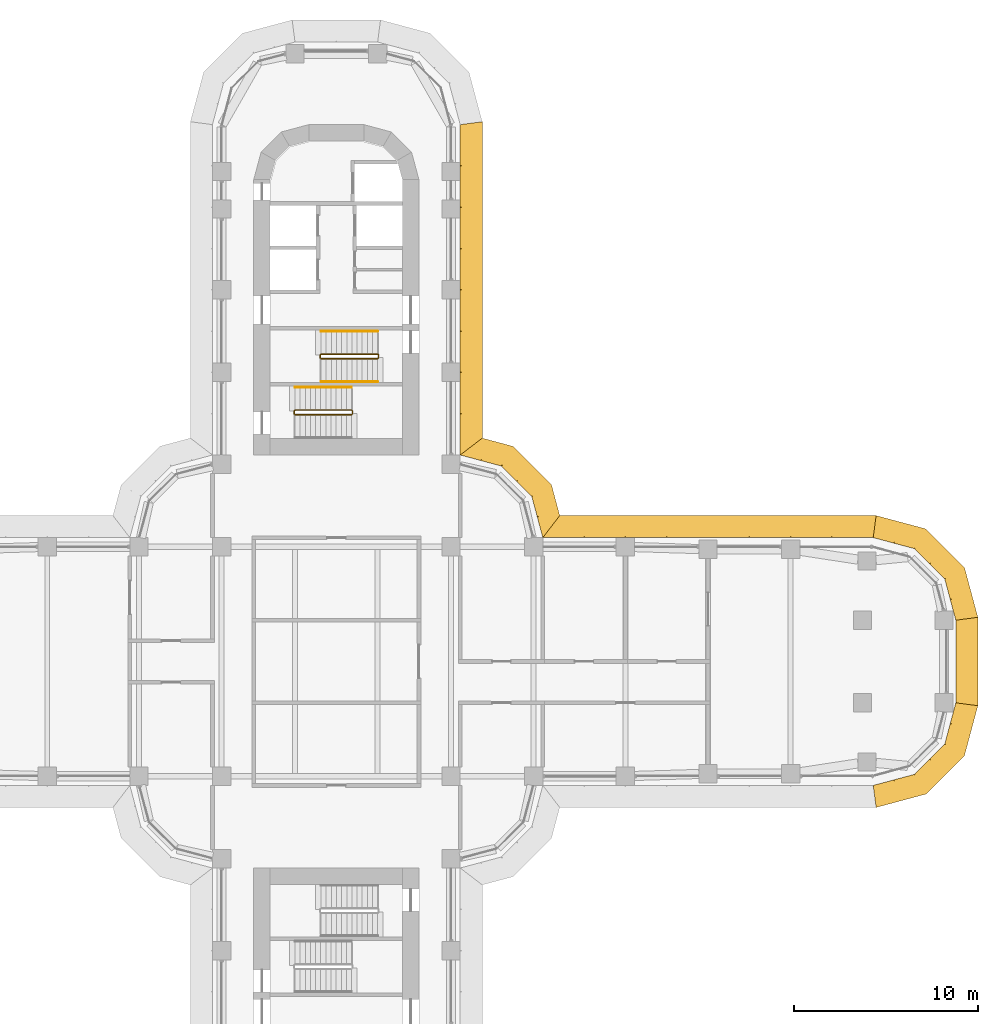
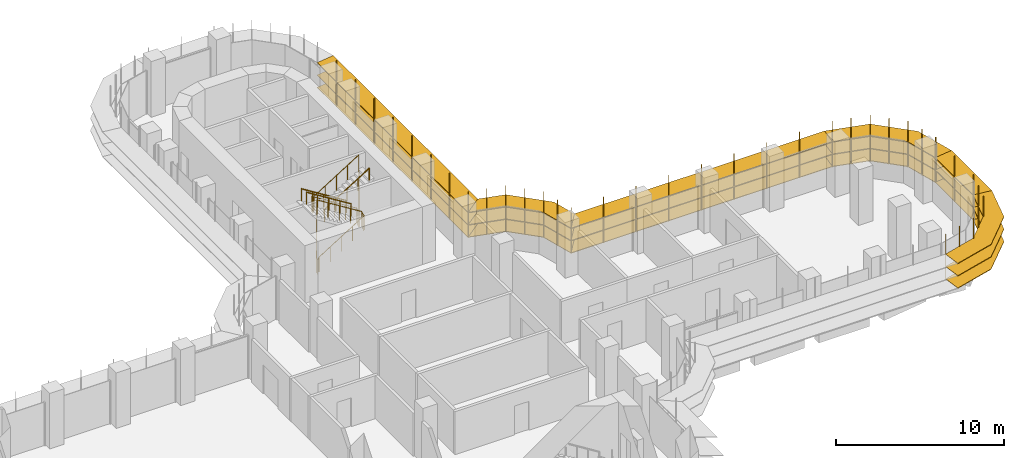
# One storey, part 22 of 23: 6 shading devices, 5 railings.
"""IFC4 building model written with IfcOpenShell, lengths in metres."""

from ifc_helpers import new_model, si_unit, direction, frame, origin, origin_2d, place, context, subcontext, project, spatial, polyline, circle, outline, extrude, faceted_brep, source, transform, mapped, material, type_object, element, save


model = new_model("IFC4")

# Units and contexts
model_context = context("Model", 3, precision=1e-05, world=origin(), true_north=direction((0.0, 1.0)))
body_context = subcontext(model_context, "Body", "Model", "MODEL_VIEW")
ifc_project = project(units=[si_unit("LENGTHUNIT", "METRE"), si_unit("AREAUNIT", "SQUARE_METRE"), si_unit("VOLUMEUNIT", "CUBIC_METRE"), si_unit("PLANEANGLEUNIT", "RADIAN"), si_unit("MASSUNIT", "GRAM", prefix="KILO")], contexts=[model_context])

# Site, building, storey
site_placement = place(None, origin())
site = spatial("IfcSite", under=ifc_project, at=site_placement, CompositionType="ELEMENT")
building_placement = place(site_placement, origin())
building = spatial("IfcBuilding", under=site, at=building_placement, Name="Zarbagh Exchange Tower", CompositionType="ELEMENT")
storey_placement = place(building_placement, frame((0.0, 0.0, 73.199951171875)))
storey = spatial("IfcBuildingStorey", under=building, at=storey_placement, Name="L16", CompositionType="ELEMENT", Elevation=73.199951171875)

# Railings
ifc_material_1 = material(Name="Stainless steel", Category="steel")
railing_type_1 = type_object("IfcRailingType", Name="Stair guard 1100 mm", PredefinedType="GUARDRAIL", material=ifc_material_1)
railing_1_placement = place(storey_placement, frame((-0.830078125, 16.5, 2.275146484375)))
element("IfcRailing", 1, at=railing_1_placement, inside=storey, type_object=railing_type_1, Name="ST1 stair guard 1", PredefinedType="GUARDRAIL", context=body_context, shape_type="SweptSolid", body=[
    extrude(circle(Radius=0.02392578125, at=origin_2d()), frame((0.0, 0.0, 1.076171875), z_axis=(0.848028513186, 0.0, 0.529950602248), x_axis=(0.0, 1.0, 0.0)), (0.0, 0.0, 1.0), 3.632080078125),
    extrude(circle(Radius=0.02392578125, at=origin_2d()), frame((3.080078125, 0.0, 3.0009765625), z_axis=(0.011914834358, 0.011914834358, -0.999858026644), x_axis=(-0.707106781187, 0.707106781187, 0.0)), (0.0, 0.0, 1.0), 4.200439453125),
    extrude(circle(Radius=0.02392578125, at=origin_2d()), frame((3.130126953125, 0.050048828125, -1.19921875), z_axis=(0.0, 1.0, 0.0), x_axis=(-1.0, 0.0, 0.0)), (0.0, 0.0, 1.0), 0.14990234375),
    extrude(circle(Radius=0.02392578125, at=origin_2d()), frame((3.130126953125, 0.199951171875, -1.19921875), z_axis=(-0.265065253269, 0.265065253269, 0.927081885822), x_axis=(-0.707106781187, -0.707106781187, 0.0)), (0.0, 0.0, 1.0), 0.188720703125),
    extrude(circle(Radius=0.02392578125, at=origin_2d()), frame((3.080078125, 0.25, -1.02392578125), z_axis=(-0.847998304005, 0.0, 0.529998940003), x_axis=(0.0, -1.0, 0.0)), (0.0, 0.0, 1.0), 3.632080078125),
    extrude(circle(Radius=0.02392578125, at=origin_2d()), frame((0.0, 0.25, 0.90087890625), z_axis=(-0.705375805398, -0.708833529934, 0.0), x_axis=(0.708833529934, -0.705375805398, 0.0)), (0.0, 0.0, 1.0), 0.070556640625),
    extrude(circle(Radius=0.02392578125, at=origin_2d()), frame((-0.0498046875, 0.199951171875, 0.90087890625), z_axis=(0.0, -1.0, 0.0), x_axis=(1.0, 0.0, 0.0)), (0.0, 0.0, 1.0), 0.14990234375),
    extrude(circle(Radius=0.02099609375, at=origin_2d()), origin(), (0.0, 0.0, 1.0), 1.052001953125),
    extrude(circle(Radius=0.02099609375, at=origin_2d()), frame((0.77001953125, 0.0, 0.481201171875)), (0.0, 0.0, 1.0), 1.052001953125),
    extrude(circle(Radius=0.02099609375, at=origin_2d()), frame((1.5400390625, 0.0, 0.96240234375)), (0.0, 0.0, 1.0), 1.052001953125),
    extrude(circle(Radius=0.02099609375, at=origin_2d()), frame((2.31005859375, 0.0, 1.443603515625)), (0.0, 0.0, 1.0), 1.052001953125),
    extrude(circle(Radius=0.02099609375, at=origin_2d()), frame((3.080078125, 0.0, 1.9248046875)), (0.0, 0.0, 1.0), 1.052001953125),
    extrude(circle(Radius=0.02099609375, at=origin_2d()), frame((3.092529296875, 0.012451171875, 0.874755859375)), (0.0, 0.0, 1.0), 1.052001953125),
    extrude(circle(Radius=0.02099609375, at=origin_2d()), frame((3.10498046875, 0.02490234375, -0.17529296875)), (0.0, 0.0, 1.0), 1.052001953125),
    extrude(circle(Radius=0.02099609375, at=origin_2d()), frame((3.11767578125, 0.03759765625, -1.22509765625)), (0.0, 0.0, 1.0), 1.052001953125),
    extrude(circle(Radius=0.02099609375, at=origin_2d()), frame((3.130126953125, 0.050048828125, -2.275146484375)), (0.0, 0.0, 1.0), 1.052001953125),
    extrude(circle(Radius=0.02099609375, at=origin_2d()), frame((3.130126953125, 0.199951171875, -2.275146484375)), (0.0, 0.0, 1.0), 1.052001953125),
    extrude(circle(Radius=0.02099609375, at=origin_2d()), frame((3.080078125, 0.25, -2.10009765625)), (0.0, 0.0, 1.0), 1.052001953125),
    extrude(circle(Radius=0.02099609375, at=origin_2d()), frame((2.31005859375, 0.25, -1.618896484375)), (0.0, 0.0, 1.0), 1.052001953125),
    extrude(circle(Radius=0.02099609375, at=origin_2d()), frame((1.5400390625, 0.25, -1.1376953125)), (0.0, 0.0, 1.0), 1.052001953125),
    extrude(circle(Radius=0.02099609375, at=origin_2d()), frame((0.77001953125, 0.25, -0.65625)), (0.0, 0.0, 1.0), 1.052001953125),
    extrude(circle(Radius=0.02099609375, at=origin_2d()), frame((0.0, 0.25, -0.175048828125)), (0.0, 0.0, 1.0), 1.052001953125),
    extrude(circle(Radius=0.02099609375, at=origin_2d()), frame((-0.0498046875, 0.199951171875, -0.175048828125)), (0.0, 0.0, 1.0), 1.052001953125),
    extrude(circle(Radius=0.02099609375, at=origin_2d()), frame((-0.0498046875, 0.050048828125, -0.175048828125)), (0.0, 0.0, 1.0), 1.052001953125),
])
railing_2_placement = place(storey_placement, frame((0.8798828125, 13.5, 2.10009765625)))
element("IfcRailing", 2, at=railing_2_placement, inside=storey, type_object=railing_type_1, Name="ST2 stair guard 1", PredefinedType="GUARDRAIL", context=body_context, shape_type="SweptSolid", body=[
    extrude(circle(Radius=0.02392578125, at=origin_2d()), frame((0.0, 0.0, 1.076171875), z_axis=(0.0, 1.0, 0.0), x_axis=(-1.0, 0.0, 0.0)), (0.0, 0.0, 1.0), 0.14990234375),
    extrude(circle(Radius=0.02392578125, at=origin_2d()), frame((0.0, 0.14990234375, 1.076171875), z_axis=(-0.263862480399, 0.265155923931, 0.927399011991), x_axis=(-0.708833529934, -0.705375805398, 0.0)), (0.0, 0.0, 1.0), 0.188720703125),
    extrude(circle(Radius=0.02392578125, at=origin_2d()), frame((-0.0498046875, 0.199951171875, 1.2509765625), z_axis=(-0.848028513186, 0.0, 0.529950602248), x_axis=(0.0, -1.0, 0.0)), (0.0, 0.0, 1.0), 3.632080078125),
    extrude(circle(Radius=0.02392578125, at=origin_2d()), frame((-3.1298828125, 0.199951171875, 3.17578125), z_axis=(-0.011914834358, -0.011914834358, -0.999858026644), x_axis=(0.707106781187, -0.707106781187, 0.0)), (0.0, 0.0, 1.0), 4.200439453125),
    extrude(circle(Radius=0.02392578125, at=origin_2d()), frame((-3.179931640625, 0.14990234375, -1.02392578125), z_axis=(0.0, -1.0, 0.0), x_axis=(1.0, 0.0, 0.0)), (0.0, 0.0, 1.0), 0.14990234375),
    extrude(circle(Radius=0.02392578125, at=origin_2d()), frame((-3.179931640625, 0.0, -1.02392578125), z_axis=(0.265065253269, -0.265065253269, 0.927081885822), x_axis=(0.707106781187, 0.707106781187, 0.0)), (0.0, 0.0, 1.0), 0.188720703125),
    extrude(circle(Radius=0.02392578125, at=origin_2d()), frame((-3.1298828125, -0.050048828125, -0.84912109375), z_axis=(0.847998304005, 0.0, 0.529998940003), x_axis=(0.0, 1.0, 0.0)), (0.0, 0.0, 1.0), 3.632080078125),
    extrude(circle(Radius=0.02099609375, at=origin_2d()), origin(), (0.0, 0.0, 1.0), 1.052001953125),
    extrude(circle(Radius=0.02099609375, at=origin_2d()), frame((0.0, 0.14990234375, 0.0)), (0.0, 0.0, 1.0), 1.052001953125),
    extrude(circle(Radius=0.02099609375, at=origin_2d()), frame((-0.0498046875, 0.199951171875, 0.175048828125)), (0.0, 0.0, 1.0), 1.052001953125),
    extrude(circle(Radius=0.02099609375, at=origin_2d()), frame((-0.81982421875, 0.199951171875, 0.65625)), (0.0, 0.0, 1.0), 1.052001953125),
    extrude(circle(Radius=0.02099609375, at=origin_2d()), frame((-1.58984375, 0.199951171875, 1.137451171875)), (0.0, 0.0, 1.0), 1.052001953125),
    extrude(circle(Radius=0.02099609375, at=origin_2d()), frame((-2.35986328125, 0.199951171875, 1.61865234375)), (0.0, 0.0, 1.0), 1.052001953125),
    extrude(circle(Radius=0.02099609375, at=origin_2d()), frame((-3.1298828125, 0.199951171875, 2.099853515625)), (0.0, 0.0, 1.0), 1.052001953125),
    extrude(circle(Radius=0.02099609375, at=origin_2d()), frame((-3.142333984375, 0.1875, 1.0498046875)), (0.0, 0.0, 1.0), 1.052001953125),
    extrude(circle(Radius=0.02099609375, at=origin_2d()), frame((-3.15478515625, 0.1748046875, 0.0)), (0.0, 0.0, 1.0), 1.052001953125),
    extrude(circle(Radius=0.02099609375, at=origin_2d()), frame((-3.16748046875, 0.162353515625, -1.050048828125)), (0.0, 0.0, 1.0), 1.052001953125),
    extrude(circle(Radius=0.02099609375, at=origin_2d()), frame((-3.179931640625, 0.14990234375, -2.10009765625)), (0.0, 0.0, 1.0), 1.052001953125),
    extrude(circle(Radius=0.02099609375, at=origin_2d()), frame((-3.179931640625, 0.0, -2.10009765625)), (0.0, 0.0, 1.0), 1.052001953125),
    extrude(circle(Radius=0.02099609375, at=origin_2d()), frame((-3.1298828125, -0.050048828125, -1.925048828125)), (0.0, 0.0, 1.0), 1.052001953125),
    extrude(circle(Radius=0.02099609375, at=origin_2d()), frame((-2.35986328125, -0.050048828125, -1.44384765625)), (0.0, 0.0, 1.0), 1.052001953125),
    extrude(circle(Radius=0.02099609375, at=origin_2d()), frame((-1.58984375, -0.050048828125, -0.96240234375)), (0.0, 0.0, 1.0), 1.052001953125),
    extrude(circle(Radius=0.02099609375, at=origin_2d()), frame((-0.81982421875, -0.050048828125, -0.481201171875)), (0.0, 0.0, 1.0), 1.052001953125),
    extrude(circle(Radius=0.02099609375, at=origin_2d()), frame((-0.0498046875, -0.050048828125, 0.0)), (0.0, 0.0, 1.0), 1.052001953125),
])
railing_type_2 = type_object("IfcRailingType", Name="Stair handrail 900 mm", PredefinedType="HANDRAIL", material=ifc_material_1)
railing_3_placement = place(storey_placement, frame((2.25, 18.0, 0.175048828125)))
element("IfcRailing", 3, at=railing_3_placement, inside=storey, type_object=railing_type_2, Name="ST1 stair handrail 1", PredefinedType="HANDRAIL", context=body_context, shape_type="SweptSolid", body=[
    extrude(circle(Radius=0.02392578125, at=origin_2d()), frame((0.0, 0.0, 0.8759765625), z_axis=(-0.847998304005, 0.0, 0.529998940003), x_axis=(0.0, -1.0, 0.0)), (0.0, 0.0, 1.0), 3.632080078125),
    extrude(circle(Radius=0.02099609375, at=origin_2d()), origin(), (0.0, 0.0, 1.0), 0.851806640625),
    extrude(circle(Radius=0.02099609375, at=origin_2d()), frame((-0.77001953125, 0.0, 0.481201171875)), (0.0, 0.0, 1.0), 0.851806640625),
    extrude(circle(Radius=0.02099609375, at=origin_2d()), frame((-1.5400390625, 0.0, 0.96240234375)), (0.0, 0.0, 1.0), 0.851806640625),
    extrude(circle(Radius=0.02099609375, at=origin_2d()), frame((-2.31005859375, 0.0, 1.44384765625)), (0.0, 0.0, 1.0), 0.851806640625),
    extrude(circle(Radius=0.02099609375, at=origin_2d()), frame((-3.080078125, 0.0, 1.925048828125)), (0.0, 0.0, 1.0), 0.851806640625),
])
railing_4_placement = place(storey_placement, frame((-0.830078125, 15.25, 2.275146484375)))
element("IfcRailing", 4, at=railing_4_placement, inside=storey, type_object=railing_type_2, Name="ST1 stair handrail 2", PredefinedType="HANDRAIL", context=body_context, shape_type="SweptSolid", body=[
    extrude(circle(Radius=0.02392578125, at=origin_2d()), frame((0.0, 0.0, 0.8759765625), z_axis=(0.848028513186, 0.0, 0.529950602248), x_axis=(0.0, 1.0, 0.0)), (0.0, 0.0, 1.0), 3.632080078125),
    extrude(circle(Radius=0.02099609375, at=origin_2d()), origin(), (0.0, 0.0, 1.0), 0.851806640625),
    extrude(circle(Radius=0.02099609375, at=origin_2d()), frame((0.77001953125, 0.0, 0.481201171875)), (0.0, 0.0, 1.0), 0.851806640625),
    extrude(circle(Radius=0.02099609375, at=origin_2d()), frame((1.5400390625, 0.0, 0.96240234375)), (0.0, 0.0, 1.0), 0.851806640625),
    extrude(circle(Radius=0.02099609375, at=origin_2d()), frame((2.31005859375, 0.0, 1.443603515625)), (0.0, 0.0, 1.0), 0.851806640625),
    extrude(circle(Radius=0.02099609375, at=origin_2d()), frame((3.080078125, 0.0, 1.9248046875)), (0.0, 0.0, 1.0), 0.851806640625),
])
railing_5_placement = place(storey_placement, frame((0.830078125, 14.949951171875, 2.275146484375)))
element("IfcRailing", 5, at=railing_5_placement, inside=storey, type_object=railing_type_2, Name="ST2 stair handrail 2", PredefinedType="HANDRAIL", context=body_context, shape_type="SweptSolid", body=[
    extrude(circle(Radius=0.02392578125, at=origin_2d()), frame((0.0, 0.0, 0.8759765625), z_axis=(-0.848028513186, 0.0, 0.529950602248), x_axis=(0.0, -1.0, 0.0)), (0.0, 0.0, 1.0), 3.632080078125),
    extrude(circle(Radius=0.02099609375, at=origin_2d()), origin(), (0.0, 0.0, 1.0), 0.851806640625),
    extrude(circle(Radius=0.02099609375, at=origin_2d()), frame((-0.77001953125, 0.0, 0.481201171875)), (0.0, 0.0, 1.0), 0.851806640625),
    extrude(circle(Radius=0.02099609375, at=origin_2d()), frame((-1.5400390625, 0.0, 0.96240234375)), (0.0, 0.0, 1.0), 0.851806640625),
    extrude(circle(Radius=0.02099609375, at=origin_2d()), frame((-2.31005859375, 0.0, 1.443603515625)), (0.0, 0.0, 1.0), 0.851806640625),
    extrude(circle(Radius=0.02099609375, at=origin_2d()), frame((-3.080078125, 0.0, 1.9248046875)), (0.0, 0.0, 1.0), 0.851806640625),
])

# Shading devices
ifc_material_2 = material(Name="Anodised aluminium blades and brackets", Category="aluminium")
shading_device_type = type_object("IfcShadingDeviceType", Name="SUNSHADE louvre band, 0 degree blades", PredefinedType="JALOUSIE", material=ifc_material_2)
shared_shape_1 = source(origin(), body_context, "Body", "Brep", [
    faceted_brep([(0.0, 0.0, 0.0), (0.0, 0.0, -0.0400390625), (-0.157958984375, -1.199951171875, -0.0400390625), (-0.157958984375, -1.199951171875, 0.0), (2.65087890625, -1.199951171875, 0.0), (2.65087890625, -1.199951171875, -0.0400390625), (2.329345703125, 0.0, -0.0400390625), (2.329345703125, 0.0, 0.0)], [[[0, 1, 2, 3]], [[4, 5, 6, 7]], [[0, 7, 6, 1]], [[1, 6, 5, 2]], [[2, 5, 4, 3]], [[3, 4, 7, 0]]]),
])
shared_shape_2 = source(origin(), body_context, "Body", "Brep", [
    faceted_brep([(0.0, 0.0, 0.0), (0.0, 0.0, -0.0400390625), (-0.321533203125, -1.199951171875, -0.0400390625), (-0.321533203125, -1.199951171875, 0.0), (2.65087890625, -1.199951171875, 0.0), (2.65087890625, -1.199951171875, -0.0400390625), (2.329345703125, 0.0, -0.0400390625), (2.329345703125, 0.0, 0.0)], [[[0, 1, 2, 3]], [[4, 5, 6, 7]], [[0, 7, 6, 1]], [[1, 6, 5, 2]], [[2, 5, 4, 3]], [[3, 4, 7, 0]]]),
])
shared_shape_3 = source(origin(), body_context, "Body", "Brep", [
    faceted_brep([(0.0, 0.0, 0.0), (0.0, 0.0, -0.0400390625), (-0.321533203125, -1.199951171875, -0.0400390625), (-0.321533203125, -1.199951171875, 0.0), (2.4873046875, -1.199951171875, 0.0), (2.4873046875, -1.199951171875, -0.0400390625), (2.329345703125, 0.0, -0.0400390625), (2.329345703125, 0.0, 0.0)], [[[0, 1, 2, 3]], [[4, 5, 6, 7]], [[0, 7, 6, 1]], [[1, 6, 5, 2]], [[2, 5, 4, 3]], [[3, 4, 7, 0]]]),
])
shared_shape_4 = source(origin(), body_context, "Body", "SweptSolid", [
    extrude(outline(polyline([(0.0, -0.012451171875), (0.06005859375, -0.012451171875), (0.06005859375, 0.012451171875), (0.0, 0.012451171875), (0.0, -0.012451171875)])), origin(), (0.0, 0.0, 1.0), 3.35009765625),
])
placement = place(storey_placement, origin())
element("IfcShadingDevice", 6, at=placement, inside=storey, type_object=shading_device_type, Name="SS05 sunshade band", PredefinedType="JALOUSIE", context=body_context, shape_type="MappedRepresentation", body=[
    mapped(shared_shape_1, transform((29.25, -6.75, 2.699951171875), x_axis=(0.965924289636, 0.258824779902, 0.0), y_axis=(-0.258824779902, 0.965924289636, 0.0), z_axis=(0.0, 0.0, 1.0))),
    mapped(shared_shape_1, transform((29.25, -6.75, 1.800048828125), x_axis=(0.965924289636, 0.258824779902, 0.0), y_axis=(-0.258824779902, 0.965924289636, 0.0), z_axis=(0.0, 0.0, 1.0))),
    mapped(shared_shape_1, transform((29.25, -6.75, 0.900146484375), x_axis=(0.965924289636, 0.258824779902, 0.0), y_axis=(-0.258824779902, 0.965924289636, 0.0), z_axis=(0.0, 0.0, 1.0))),
    mapped(shared_shape_2, transform((31.5, -6.147216796875, 2.699951171875), x_axis=(0.707106781187, 0.707106781187, 0.0), y_axis=(-0.707106781187, 0.707106781187, 0.0), z_axis=(0.0, 0.0, 1.0))),
    mapped(shared_shape_2, transform((31.5, -6.147216796875, 1.800048828125), x_axis=(0.707106781187, 0.707106781187, 0.0), y_axis=(-0.707106781187, 0.707106781187, 0.0), z_axis=(0.0, 0.0, 1.0))),
    mapped(shared_shape_2, transform((31.5, -6.147216796875, 0.900146484375), x_axis=(0.707106781187, 0.707106781187, 0.0), y_axis=(-0.707106781187, 0.707106781187, 0.0), z_axis=(0.0, 0.0, 1.0))),
    mapped(shared_shape_3, transform((33.147216796875, -4.5, 2.699951171875), x_axis=(0.258824779902, 0.965924289636, 0.0), y_axis=(-0.965924289636, 0.258824779902, 0.0), z_axis=(0.0, 0.0, 1.0))),
    mapped(shared_shape_3, transform((33.147216796875, -4.5, 1.800048828125), x_axis=(0.258824779902, 0.965924289636, 0.0), y_axis=(-0.965924289636, 0.258824779902, 0.0), z_axis=(0.0, 0.0, 1.0))),
    mapped(shared_shape_3, transform((33.147216796875, -4.5, 0.900146484375), x_axis=(0.258824779902, 0.965924289636, 0.0), y_axis=(-0.965924289636, 0.258824779902, 0.0), z_axis=(0.0, 0.0, 1.0))),
    mapped(shared_shape_4, transform((29.25, -6.75, 0.830078125), x_axis=(0.130529263012, -0.991444457092, 0.0), y_axis=(0.991444457092, 0.130529263012, 0.0), z_axis=(0.0, 0.0, 1.0))),
    mapped(shared_shape_4, transform((30.375, -6.448486328125, 0.830078125), x_axis=(0.258825058029, -0.96592421511, 0.0), y_axis=(0.96592421511, 0.258825058029, 0.0), z_axis=(0.0, 0.0, 1.0))),
    mapped(shared_shape_4, transform((31.5, -6.147216796875, 0.830078125), x_axis=(0.50000275701, -0.866023812018, 0.0), y_axis=(0.866023812018, 0.50000275701, 0.0), z_axis=(0.0, 0.0, 1.0))),
    mapped(shared_shape_4, transform((32.323486328125, -5.323486328125, 0.830078125), x_axis=(0.707106781187, -0.707106781187, 0.0), y_axis=(0.707106781187, 0.707106781187, 0.0), z_axis=(0.0, 0.0, 1.0))),
    mapped(shared_shape_4, transform((33.147216796875, -4.5, 0.830078125), x_axis=(0.866023812018, -0.50000275701, 0.0), y_axis=(0.50000275701, 0.866023812018, 0.0), z_axis=(0.0, 0.0, 1.0))),
    mapped(shared_shape_4, transform((33.448486328125, -3.375, 0.830078125), x_axis=(0.96592421511, -0.258825058029, 0.0), y_axis=(0.258825058029, 0.96592421511, 0.0), z_axis=(0.0, 0.0, 1.0))),
])
element("IfcShadingDevice", 7, at=placement, inside=storey, type_object=shading_device_type, Name="SS07 sunshade band", PredefinedType="JALOUSIE", context=body_context, shape_type="MappedRepresentation", body=[
    mapped(shared_shape_1, transform((33.75, 2.25, 2.699951171875), x_axis=(-0.258824779902, 0.965924289636, 0.0), y_axis=(-0.965924289636, -0.258824779902, 0.0), z_axis=(0.0, 0.0, 1.0))),
    mapped(shared_shape_1, transform((33.75, 2.25, 1.800048828125), x_axis=(-0.258824779902, 0.965924289636, 0.0), y_axis=(-0.965924289636, -0.258824779902, 0.0), z_axis=(0.0, 0.0, 1.0))),
    mapped(shared_shape_1, transform((33.75, 2.25, 0.900146484375), x_axis=(-0.258824779902, 0.965924289636, 0.0), y_axis=(-0.965924289636, -0.258824779902, 0.0), z_axis=(0.0, 0.0, 1.0))),
    mapped(shared_shape_2, transform((33.147216796875, 4.5, 2.699951171875), x_axis=(-0.707106781187, 0.707106781187, 0.0), y_axis=(-0.707106781187, -0.707106781187, 0.0), z_axis=(0.0, 0.0, 1.0))),
    mapped(shared_shape_2, transform((33.147216796875, 4.5, 1.800048828125), x_axis=(-0.707106781187, 0.707106781187, 0.0), y_axis=(-0.707106781187, -0.707106781187, 0.0), z_axis=(0.0, 0.0, 1.0))),
    mapped(shared_shape_2, transform((33.147216796875, 4.5, 0.900146484375), x_axis=(-0.707106781187, 0.707106781187, 0.0), y_axis=(-0.707106781187, -0.707106781187, 0.0), z_axis=(0.0, 0.0, 1.0))),
    mapped(shared_shape_3, transform((31.5, 6.147216796875, 2.699951171875), x_axis=(-0.965924289636, 0.258824779902, 0.0), y_axis=(-0.258824779902, -0.965924289636, 0.0), z_axis=(0.0, 0.0, 1.0))),
    mapped(shared_shape_3, transform((31.5, 6.147216796875, 1.800048828125), x_axis=(-0.965924289636, 0.258824779902, 0.0), y_axis=(-0.258824779902, -0.965924289636, 0.0), z_axis=(0.0, 0.0, 1.0))),
    mapped(shared_shape_3, transform((31.5, 6.147216796875, 0.900146484375), x_axis=(-0.965924289636, 0.258824779902, 0.0), y_axis=(-0.258824779902, -0.965924289636, 0.0), z_axis=(0.0, 0.0, 1.0))),
    mapped(shared_shape_4, transform((33.75, 2.25, 0.830078125), x_axis=(0.991444457092, 0.130529263012, 0.0), y_axis=(-0.130529263012, 0.991444457092, 0.0), z_axis=(0.0, 0.0, 1.0))),
    mapped(shared_shape_4, transform((33.448486328125, 3.375, 0.830078125), x_axis=(0.96592421511, 0.258825058029, 0.0), y_axis=(-0.258825058029, 0.96592421511, 0.0), z_axis=(0.0, 0.0, 1.0))),
    mapped(shared_shape_4, transform((33.147216796875, 4.5, 0.830078125), x_axis=(0.866023812018, 0.50000275701, 0.0), y_axis=(-0.50000275701, 0.866023812018, 0.0), z_axis=(0.0, 0.0, 1.0))),
    mapped(shared_shape_4, transform((32.323486328125, 5.323486328125, 0.830078125), x_axis=(0.707106781187, 0.707106781187, 0.0), y_axis=(-0.707106781187, 0.707106781187, 0.0), z_axis=(0.0, 0.0, 1.0))),
    mapped(shared_shape_4, transform((31.5, 6.147216796875, 0.830078125), x_axis=(0.50000275701, 0.866023812018, 0.0), y_axis=(-0.866023812018, 0.50000275701, 0.0), z_axis=(0.0, 0.0, 1.0))),
    mapped(shared_shape_4, transform((30.375, 6.448486328125, 0.830078125), x_axis=(0.258825058029, 0.96592421511, 0.0), y_axis=(-0.96592421511, 0.258825058029, 0.0), z_axis=(0.0, 0.0, 1.0))),
])
shared_shape_5 = source(origin(), body_context, "Body", "Brep", [
    faceted_brep([(0.0, 0.0, 0.0), (0.0, 0.0, -0.0400390625), (0.9208984375, -1.199951171875, -0.0400390625), (0.9208984375, -1.199951171875, 0.0), (2.65087890625, -1.199951171875, 0.0), (2.65087890625, -1.199951171875, -0.0400390625), (2.329345703125, 0.0, -0.0400390625), (2.329345703125, 0.0, 0.0)], [[[0, 1, 2, 3]], [[4, 5, 6, 7]], [[0, 7, 6, 1]], [[1, 6, 5, 2]], [[2, 5, 4, 3]], [[3, 4, 7, 0]]]),
])
shared_shape_6 = source(origin(), body_context, "Body", "Brep", [
    faceted_brep([(0.0, 0.0, 0.0), (0.0, 0.0, -0.0400390625), (-0.321533203125, -1.199951171875, -0.0400390625), (-0.321533203125, -1.199951171875, 0.0), (1.40869140625, -1.199951171875, 0.0), (1.40869140625, -1.199951171875, -0.0400390625), (2.329345703125, 0.0, -0.0400390625), (2.329345703125, 0.0, 0.0)], [[[0, 1, 2, 3]], [[4, 5, 6, 7]], [[0, 7, 6, 1]], [[1, 6, 5, 2]], [[2, 5, 4, 3]], [[3, 4, 7, 0]]]),
])
element("IfcShadingDevice", 8, at=placement, inside=storey, type_object=shading_device_type, Name="SS09 sunshade band", PredefinedType="JALOUSIE", context=body_context, shape_type="MappedRepresentation", body=[
    mapped(shared_shape_5, transform((11.25, 6.75, 2.699951171875), x_axis=(-0.258824779902, 0.965924289636, 0.0), y_axis=(-0.965924289636, -0.258824779902, 0.0), z_axis=(0.0, 0.0, 1.0))),
    mapped(shared_shape_5, transform((11.25, 6.75, 1.800048828125), x_axis=(-0.258824779902, 0.965924289636, 0.0), y_axis=(-0.965924289636, -0.258824779902, 0.0), z_axis=(0.0, 0.0, 1.0))),
    mapped(shared_shape_5, transform((11.25, 6.75, 0.900146484375), x_axis=(-0.258824779902, 0.965924289636, 0.0), y_axis=(-0.965924289636, -0.258824779902, 0.0), z_axis=(0.0, 0.0, 1.0))),
    mapped(shared_shape_2, transform((10.647216796875, 9.0, 2.699951171875), x_axis=(-0.707106781187, 0.707106781187, 0.0), y_axis=(-0.707106781187, -0.707106781187, 0.0), z_axis=(0.0, 0.0, 1.0))),
    mapped(shared_shape_2, transform((10.647216796875, 9.0, 1.800048828125), x_axis=(-0.707106781187, 0.707106781187, 0.0), y_axis=(-0.707106781187, -0.707106781187, 0.0), z_axis=(0.0, 0.0, 1.0))),
    mapped(shared_shape_2, transform((10.647216796875, 9.0, 0.900146484375), x_axis=(-0.707106781187, 0.707106781187, 0.0), y_axis=(-0.707106781187, -0.707106781187, 0.0), z_axis=(0.0, 0.0, 1.0))),
    mapped(shared_shape_6, transform((9.0, 10.647216796875, 2.699951171875), x_axis=(-0.965924289636, 0.258824779902, 0.0), y_axis=(-0.258824779902, -0.965924289636, 0.0), z_axis=(0.0, 0.0, 1.0))),
    mapped(shared_shape_6, transform((9.0, 10.647216796875, 1.800048828125), x_axis=(-0.965924289636, 0.258824779902, 0.0), y_axis=(-0.258824779902, -0.965924289636, 0.0), z_axis=(0.0, 0.0, 1.0))),
    mapped(shared_shape_6, transform((9.0, 10.647216796875, 0.900146484375), x_axis=(-0.965924289636, 0.258824779902, 0.0), y_axis=(-0.258824779902, -0.965924289636, 0.0), z_axis=(0.0, 0.0, 1.0))),
    mapped(shared_shape_4, transform((11.25, 6.75, 0.830078125), x_axis=(0.608758892, 0.793355287, 0.0), y_axis=(-0.793355287, 0.608758892, 0.0), z_axis=(0.0, 0.0, 1.0))),
    mapped(shared_shape_4, transform((10.948486328125, 7.875, 0.830078125), x_axis=(0.96592421511, 0.258825058029, 0.0), y_axis=(-0.258825058029, 0.96592421511, 0.0), z_axis=(0.0, 0.0, 1.0))),
    mapped(shared_shape_4, transform((10.647216796875, 9.0, 0.830078125), x_axis=(0.866023812018, 0.50000275701, 0.0), y_axis=(-0.50000275701, 0.866023812018, 0.0), z_axis=(0.0, 0.0, 1.0))),
    mapped(shared_shape_4, transform((9.823486328125, 9.823486328125, 0.830078125), x_axis=(0.707106781187, 0.707106781187, 0.0), y_axis=(-0.707106781187, 0.707106781187, 0.0), z_axis=(0.0, 0.0, 1.0))),
    mapped(shared_shape_4, transform((9.0, 10.647216796875, 0.830078125), x_axis=(0.50000275701, 0.866023812018, 0.0), y_axis=(-0.866023812018, 0.50000275701, 0.0), z_axis=(0.0, 0.0, 1.0))),
    mapped(shared_shape_4, transform((7.875, 10.948486328125, 0.830078125), x_axis=(0.258825058029, 0.96592421511, 0.0), y_axis=(-0.96592421511, 0.258825058029, 0.0), z_axis=(0.0, 0.0, 1.0))),
])
shared_shape_7 = source(origin(), body_context, "Body", "Brep", [
    faceted_brep([(0.0, 0.0, 0.0), (0.0, 0.0, -0.0400390625), (-0.157958984375, -1.199951171875, -0.0400390625), (-0.157958984375, -1.199951171875, 0.0), (4.657958984375, -1.199951171875, 0.0), (4.657958984375, -1.199951171875, -0.0400390625), (4.5, 0.0, -0.0400390625), (4.5, 0.0, 0.0)], [[[0, 1, 2, 3]], [[4, 5, 6, 7]], [[0, 7, 6, 1]], [[1, 6, 5, 2]], [[2, 5, 4, 3]], [[3, 4, 7, 0]]]),
])
element("IfcShadingDevice", 9, at=placement, inside=storey, type_object=shading_device_type, Name="SS06 sunshade band", PredefinedType="JALOUSIE", context=body_context, shape_type="MappedRepresentation", body=[
    mapped(shared_shape_7, transform((33.75, -2.25, 2.699951171875), x_axis=(0.0, 1.0, 0.0), y_axis=(-1.0, 0.0, 0.0), z_axis=(0.0, 0.0, 1.0))),
    mapped(shared_shape_7, transform((33.75, -2.25, 1.800048828125), x_axis=(0.0, 1.0, 0.0), y_axis=(-1.0, 0.0, 0.0), z_axis=(0.0, 0.0, 1.0))),
    mapped(shared_shape_7, transform((33.75, -2.25, 0.900146484375), x_axis=(0.0, 1.0, 0.0), y_axis=(-1.0, 0.0, 0.0), z_axis=(0.0, 0.0, 1.0))),
    mapped(shared_shape_4, transform((33.75, -2.25, 0.830078125), x_axis=(0.991444457092, -0.130529263012, 0.0), y_axis=(0.130529263012, 0.991444457092, 0.0), z_axis=(0.0, 0.0, 1.0))),
    mapped(shared_shape_4, transform((33.75, 0.0, 0.830078125), x_axis=(1.0, 0.0, 0.0), y_axis=(0.0, 1.0, 0.0), z_axis=(0.0, 0.0, 1.0))),
])
shared_shape_8 = source(origin(), body_context, "Body", "Brep", [
    faceted_brep([(0.0, 0.0, 0.0), (0.0, 0.0, -0.0400390625), (-0.157958984375, -1.199951171875, -0.0400390625), (-0.157958984375, -1.199951171875, 0.0), (17.0791015625, -1.199951171875, 0.0), (17.0791015625, -1.199951171875, -0.0400390625), (18.0, 0.0, -0.0400390625), (18.0, 0.0, 0.0)], [[[0, 1, 2, 3]], [[4, 5, 6, 7]], [[0, 7, 6, 1]], [[1, 6, 5, 2]], [[2, 5, 4, 3]], [[3, 4, 7, 0]]]),
])
element("IfcShadingDevice", 10, at=placement, inside=storey, type_object=shading_device_type, Name="SS08 sunshade band", PredefinedType="JALOUSIE", context=body_context, shape_type="MappedRepresentation", body=[
    mapped(shared_shape_8, transform((29.25, 6.75, 2.699951171875), x_axis=(-1.0, 0.0, 0.0), y_axis=(0.0, -1.0, 0.0), z_axis=(0.0, 0.0, 1.0))),
    mapped(shared_shape_8, transform((29.25, 6.75, 1.800048828125), x_axis=(-1.0, 0.0, 0.0), y_axis=(0.0, -1.0, 0.0), z_axis=(0.0, 0.0, 1.0))),
    mapped(shared_shape_8, transform((29.25, 6.75, 0.900146484375), x_axis=(-1.0, 0.0, 0.0), y_axis=(0.0, -1.0, 0.0), z_axis=(0.0, 0.0, 1.0))),
    mapped(shared_shape_4, transform((29.25, 6.75, 0.830078125), x_axis=(0.130529263012, 0.991444457092, 0.0), y_axis=(-0.991444457092, 0.130529263012, 0.0), z_axis=(0.0, 0.0, 1.0))),
    mapped(shared_shape_4, transform((27.0, 6.75, 0.830078125), x_axis=(0.0, 1.0, 0.0), y_axis=(-1.0, 0.0, 0.0), z_axis=(0.0, 0.0, 1.0))),
    mapped(shared_shape_4, transform((24.75, 6.75, 0.830078125), x_axis=(0.0, 1.0, 0.0), y_axis=(-1.0, 0.0, 0.0), z_axis=(0.0, 0.0, 1.0))),
    mapped(shared_shape_4, transform((22.5, 6.75, 0.830078125), x_axis=(0.0, 1.0, 0.0), y_axis=(-1.0, 0.0, 0.0), z_axis=(0.0, 0.0, 1.0))),
    mapped(shared_shape_4, transform((20.25, 6.75, 0.830078125), x_axis=(0.0, 1.0, 0.0), y_axis=(-1.0, 0.0, 0.0), z_axis=(0.0, 0.0, 1.0))),
    mapped(shared_shape_4, transform((18.0, 6.75, 0.830078125), x_axis=(0.0, 1.0, 0.0), y_axis=(-1.0, 0.0, 0.0), z_axis=(0.0, 0.0, 1.0))),
    mapped(shared_shape_4, transform((15.75, 6.75, 0.830078125), x_axis=(0.0, 1.0, 0.0), y_axis=(-1.0, 0.0, 0.0), z_axis=(0.0, 0.0, 1.0))),
    mapped(shared_shape_4, transform((13.5, 6.75, 0.830078125), x_axis=(0.0, 1.0, 0.0), y_axis=(-1.0, 0.0, 0.0), z_axis=(0.0, 0.0, 1.0))),
])
shared_shape_9 = source(origin(), body_context, "Body", "Brep", [
    faceted_brep([(0.0, 0.0, 0.0), (0.0, 0.0, -0.0400390625), (0.9208984375, -1.199951171875, -0.0400390625), (0.9208984375, -1.199951171875, 0.0), (18.157958984375, -1.199951171875, 0.0), (18.157958984375, -1.199951171875, -0.0400390625), (18.0, 0.0, -0.0400390625), (18.0, 0.0, 0.0)], [[[0, 1, 2, 3]], [[4, 5, 6, 7]], [[0, 7, 6, 1]], [[1, 6, 5, 2]], [[2, 5, 4, 3]], [[3, 4, 7, 0]]]),
])
element("IfcShadingDevice", 11, at=placement, inside=storey, type_object=shading_device_type, Name="SS10 sunshade band", PredefinedType="JALOUSIE", context=body_context, shape_type="MappedRepresentation", body=[
    mapped(shared_shape_9, transform((6.75, 11.25, 2.699951171875), x_axis=(0.0, 1.0, 0.0), y_axis=(-1.0, 0.0, 0.0), z_axis=(0.0, 0.0, 1.0))),
    mapped(shared_shape_9, transform((6.75, 11.25, 1.800048828125), x_axis=(0.0, 1.0, 0.0), y_axis=(-1.0, 0.0, 0.0), z_axis=(0.0, 0.0, 1.0))),
    mapped(shared_shape_9, transform((6.75, 11.25, 0.900146484375), x_axis=(0.0, 1.0, 0.0), y_axis=(-1.0, 0.0, 0.0), z_axis=(0.0, 0.0, 1.0))),
    mapped(shared_shape_4, transform((6.75, 11.25, 0.830078125), x_axis=(0.793355287, 0.608758892, 0.0), y_axis=(-0.608758892, 0.793355287, 0.0), z_axis=(0.0, 0.0, 1.0))),
    mapped(shared_shape_4, transform((6.75, 13.5, 0.830078125), x_axis=(1.0, 0.0, 0.0), y_axis=(0.0, 1.0, 0.0), z_axis=(0.0, 0.0, 1.0))),
    mapped(shared_shape_4, transform((6.75, 15.75, 0.830078125), x_axis=(1.0, 0.0, 0.0), y_axis=(0.0, 1.0, 0.0), z_axis=(0.0, 0.0, 1.0))),
    mapped(shared_shape_4, transform((6.75, 18.0, 0.830078125), x_axis=(1.0, 0.0, 0.0), y_axis=(0.0, 1.0, 0.0), z_axis=(0.0, 0.0, 1.0))),
    mapped(shared_shape_4, transform((6.75, 20.25, 0.830078125), x_axis=(1.0, 0.0, 0.0), y_axis=(0.0, 1.0, 0.0), z_axis=(0.0, 0.0, 1.0))),
    mapped(shared_shape_4, transform((6.75, 22.5, 0.830078125), x_axis=(1.0, 0.0, 0.0), y_axis=(0.0, 1.0, 0.0), z_axis=(0.0, 0.0, 1.0))),
    mapped(shared_shape_4, transform((6.75, 24.75, 0.830078125), x_axis=(1.0, 0.0, 0.0), y_axis=(0.0, 1.0, 0.0), z_axis=(0.0, 0.0, 1.0))),
    mapped(shared_shape_4, transform((6.75, 27.0, 0.830078125), x_axis=(1.0, 0.0, 0.0), y_axis=(0.0, 1.0, 0.0), z_axis=(0.0, 0.0, 1.0))),
])

save(model, "model.ifc")
